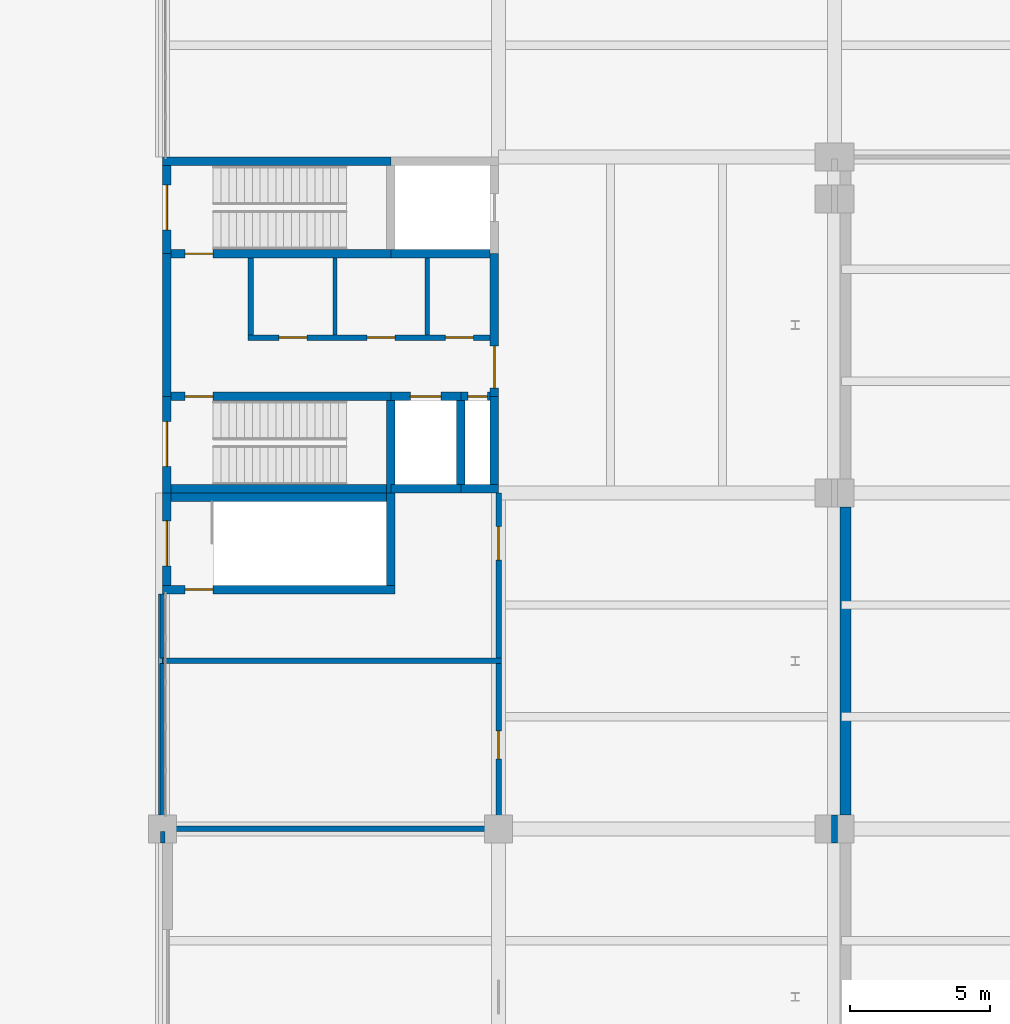
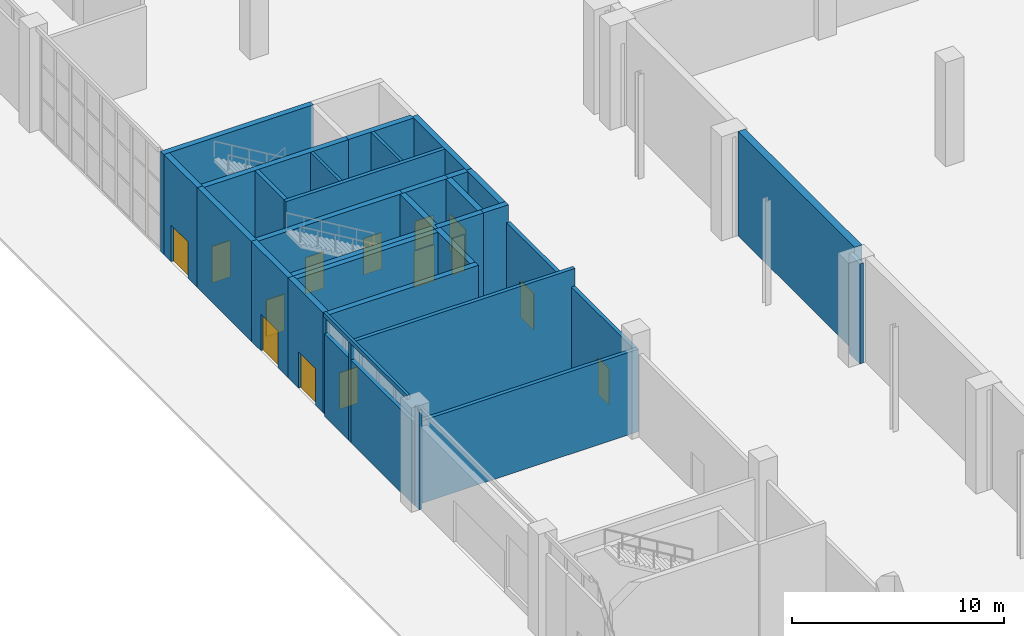
# One storey, part 44 of 59: 34 walls, 14 doors, 14 openings.
"""IFC4 building model written with IfcOpenShell, lengths in metres."""

from ifc_helpers import new_model, si_unit, direction, frame, frame_2d, origin, place, context, subcontext, project, spatial, rectangle, extrude, material, layer, layer_set, type_object, element, fill, save


model = new_model("IFC4")

# Units and contexts
model_context = context("Model", 3, precision=1e-05, world=origin(), true_north=direction((0.0, 1.0)))
body_context = subcontext(model_context, "Body", "Model", "MODEL_VIEW")
ifc_project = project(units=[si_unit("LENGTHUNIT", "METRE"), si_unit("AREAUNIT", "SQUARE_METRE"), si_unit("VOLUMEUNIT", "CUBIC_METRE"), si_unit("PLANEANGLEUNIT", "RADIAN"), si_unit("MASSUNIT", "GRAM", prefix="KILO")], contexts=[model_context])

# Site, building, storey
site_placement = place(None, origin())
site = spatial("IfcSite", under=ifc_project, at=site_placement, CompositionType="ELEMENT")
building_placement = place(site_placement, origin())
building = spatial("IfcBuilding", under=site, at=building_placement, Name="Lilac Gate Convention Centre", CompositionType="ELEMENT")
storey_placement = place(building_placement, origin())
storey = spatial("IfcBuildingStorey", under=building, at=storey_placement, Name="L00", CompositionType="ELEMENT", Elevation=0.0)

# Walls
ifc_material_1 = material(Name="Concrete C30", Category="concrete")
ifc_layer_1 = layer(ifc_material_1, 0.39990234375)
ifc_layer_set_1 = layer_set([ifc_layer_1], Name="Concrete C30")
wall_type_1 = type_object("IfcWallType", Name="Hall fire wall 400", PredefinedType="SOLIDWALL", material=ifc_layer_set_1)
wall_1_placement = place(storey_placement, frame((30.39990234375, 198.5, 0.0), z_axis=(0.0, 0.0, 1.0), x_axis=(0.0, 1.0, 0.0)))
element("IfcWall", 1, at=wall_1_placement, inside=storey, type_object=wall_type_1, Name="Fire wall galleria FW L00 15", PredefinedType="SOLIDWALL", context=body_context, shape_type="SweptSolid", body=[
    extrude(rectangle(XDim=11.0, YDim=0.39990234375, at=frame_2d((5.5, 0.0))), origin(), (0.0, 0.0, 1.0), 6.0),
])
ifc_material_2 = material(Name="Fire-rated gypsum board on steel stud", Category="steel")
ifc_layer_2 = layer(ifc_material_2, 0.14990234375)
ifc_layer_set_2 = layer_set([ifc_layer_2], Name="Fire-rated gypsum board on steel stud")
wall_type_2 = type_object("IfcWallType", Name="Partition 150 fire-rated gypsum board EI 60", PredefinedType="PARTITIONING", material=ifc_layer_set_2)
wall_2_placement = place(storey_placement, frame((6.0, 197.5, 0.0), z_axis=(0.0, 0.0, 1.0), x_axis=(0.0, 1.0, 0.0)))
element("IfcWall", 2, at=wall_2_placement, inside=storey, type_object=wall_type_2, Name="Partition 150 fire-rated gypsum board EI 60", PredefinedType="PARTITIONING", context=body_context, shape_type="SweptSolid", body=[
    extrude(rectangle(XDim=0.39990234375, YDim=0.14990234375, at=frame_2d((0.199951171875, 0.0))), origin(), (0.0, 0.0, 1.0), 5.75),
])
for number, where, z_axis, x_axis, name in (
    (3, (12.14990234375, 215.64990234375, 0.0), (0.0, 0.0, 1.0), (0.0, 1.0, 0.0), "Partition 150 fire-rated gypsum board EI 60"),
    (4, (15.449951171875, 215.64990234375, 0.0), (0.0, 0.0, 1.0), (0.0, 1.0, 0.0), "Partition 150 fire-rated gypsum board EI 60"),
):
    element("IfcWall", number, at=place(storey_placement, frame(where, z_axis=z_axis, x_axis=x_axis)), inside=storey, type_object=wall_type_2, Name=name, PredefinedType="PARTITIONING", context=body_context, shape_type="SweptSolid", body=[
        extrude(rectangle(XDim=2.75, YDim=0.14990234375, at=frame_2d((1.375, 0.0))), origin(), (0.0, 0.0, 1.0), 5.75),
    ])
ifc_material_3 = material(Name="Clay brick masonry", Category="masonry")
ifc_layer_3 = layer(ifc_material_3, 0.199951171875)
ifc_layer_set_3 = layer_set([ifc_layer_3], Name="Clay brick masonry")
wall_type_3 = type_object("IfcWallType", Name="Partition 200 brick EI 120", PredefinedType="PARTITIONING", material=ifc_layer_set_3)
wall_3_placement = place(storey_placement, frame((5.89990234375, 198.0, 0.0), z_axis=(0.0, 0.0, 1.0), x_axis=(1.0, 0.0, 0.0)))
element("IfcWall", 5, at=wall_3_placement, inside=storey, type_object=wall_type_3, Name="Partition 200 brick EI 120", PredefinedType="PARTITIONING", context=body_context, shape_type="SweptSolid", body=[
    extrude(rectangle(XDim=12.2001953125, YDim=0.199951171875, at=frame_2d((6.10009765625, 0.0))), origin(), (0.0, 0.0, 1.0), 4.75),
])
wall_4_placement = place(storey_placement, frame((5.89990234375, 204.0, 0.0), z_axis=(0.0, 0.0, 1.0), x_axis=(1.0, 0.0, 0.0)))
element("IfcWall", 6, at=wall_4_placement, inside=storey, type_object=wall_type_3, Name="Partition 200 brick EI 120", PredefinedType="PARTITIONING", context=body_context, shape_type="SweptSolid", body=[
    extrude(rectangle(XDim=12.2001953125, YDim=0.199951171875, at=frame_2d((6.10009765625, 0.0))), origin(), (0.0, 0.0, 1.0), 5.75),
])
wall_5_placement = place(storey_placement, frame((6.0, 198.10009765625, 0.0), z_axis=(0.0, 0.0, 1.0), x_axis=(0.0, 1.0, 0.0)))
element("IfcWall", 7, at=wall_5_placement, inside=storey, type_object=wall_type_3, Name="Partition 200 brick EI 120", PredefinedType="PARTITIONING", context=body_context, shape_type="SweptSolid", body=[
    extrude(rectangle(XDim=5.7998046875, YDim=0.199951171875, at=frame_2d((2.89990234375, 0.0))), origin(), (0.0, 0.0, 1.0), 4.75),
])

# Wall, opening, door
wall_6_placement = place(storey_placement, frame((18.0, 198.10009765625, 0.0), z_axis=(0.0, 0.0, 1.0), x_axis=(0.0, 1.0, 0.0)))
wall_6 = element("IfcWall", 8, at=wall_6_placement, inside=storey, type_object=wall_type_3, Name="Partition 200 brick EI 120", PredefinedType="PARTITIONING", context=body_context, shape_type="SweptSolid", body=[
    extrude(rectangle(XDim=5.7998046875, YDim=0.199951171875, at=frame_2d((2.89990234375, 0.0))), origin(), (0.0, 0.0, 1.0), 4.75),
])
opening_1_placement = place(wall_6_placement, frame((2.39990234375, 0.0, 0.0)))
opening_1 = element("IfcOpeningElement", 9, at=opening_1_placement, cuts=wall_6, Name="Opening L00-121", PredefinedType="OPENING", context=body_context, shape_type="SweptSolid", body=[
    extrude(rectangle(XDim=1.0, YDim=2.10009765625, at=frame_2d((0.5, 1.050048828125))), frame((0.0, 0.10986328125, 0.0), z_axis=(0.0, -1.0, 0.0), x_axis=(1.0, 0.0, 0.0)), (0.0, 0.0, 1.0), 0.219970703125),
])
ifc_material_4 = material(Name="Steel Q235B", Category="steel")
door_type_1 = type_object("IfcDoorType", Name="Door 1000 x 2100 single leaf FD90", OperationType="SINGLE_SWING_LEFT", PredefinedType="DOOR", material=ifc_material_4)
door_1_placement = place(opening_1_placement, origin())
door_1 = element("IfcDoor", 10, at=door_1_placement, inside=storey, type_object=door_type_1, Name="Fire control room door L00-121", OperationType="SINGLE_SWING_RIGHT", OverallHeight=2.10009765625, OverallWidth=1.0, PredefinedType="DOOR", context=body_context, shape_type="SweptSolid", body=[
    extrude(rectangle(XDim=1.0, YDim=2.10009765625, at=frame_2d((0.5, 1.050048828125))), frame((0.0, 0.02490234375, 0.0), z_axis=(0.0, -1.0, 0.0), x_axis=(1.0, 0.0, 0.0)), (0.0, 0.0, 1.0), 0.050048828125),
])
fill(opening_1, door_1)

# Wall, openings, doors
ifc_layer_4 = layer(ifc_material_3, 0.199951171875)
ifc_layer_set_4 = layer_set([ifc_layer_4], Name="Clay brick masonry")
wall_type_4 = type_object("IfcWallType", Name="Partition 200 brick EI 60", PredefinedType="PARTITIONING", material=ifc_layer_set_4)
wall_7_placement = place(storey_placement, frame((9.050048828125, 215.550048828125, 0.0), z_axis=(0.0, 0.0, 1.0), x_axis=(1.0, 0.0, 0.0)))
wall_7 = element("IfcWall", 11, at=wall_7_placement, inside=storey, type_object=wall_type_4, Name="Partition 200 brick EI 60", PredefinedType="PARTITIONING", context=body_context, shape_type="SweptSolid", body=[
    extrude(rectangle(XDim=8.64990234375, YDim=0.199951171875, at=frame_2d((4.324951171875, 0.0))), origin(), (0.0, 0.0, 1.0), 5.75),
])
opening_2_placement = place(wall_7_placement, frame((1.10009765625, 0.0, 0.0)))
opening_2 = element("IfcOpeningElement", 12, at=opening_2_placement, cuts=wall_7, Name="Opening L00-136", PredefinedType="OPENING", context=body_context, shape_type="SweptSolid", body=[
    extrude(rectangle(XDim=1.0, YDim=2.10009765625, at=frame_2d((0.5, 1.050048828125))), frame((0.0, 0.10986328125, 0.0), z_axis=(0.0, -1.0, 0.0), x_axis=(1.0, 0.0, 0.0)), (0.0, 0.0, 1.0), 0.219970703125),
])
opening_3_placement = place(wall_7_placement, frame((4.25, 0.0, 0.0)))
opening_3 = element("IfcOpeningElement", 13, at=opening_3_placement, cuts=wall_7, Name="Opening L00-137", PredefinedType="OPENING", context=body_context, shape_type="SweptSolid", body=[
    extrude(rectangle(XDim=1.0, YDim=2.10009765625, at=frame_2d((0.5, 1.050048828125))), frame((0.0, 0.10986328125, 0.0), z_axis=(0.0, -1.0, 0.0), x_axis=(1.0, 0.0, 0.0)), (0.0, 0.0, 1.0), 0.219970703125),
])
opening_4_placement = place(wall_7_placement, frame((7.050048828125, 0.0, 0.0)))
opening_4 = element("IfcOpeningElement", 14, at=opening_4_placement, cuts=wall_7, Name="Opening L00-138", PredefinedType="OPENING", context=body_context, shape_type="SweptSolid", body=[
    extrude(rectangle(XDim=1.0, YDim=2.10009765625, at=frame_2d((0.5, 1.050048828125))), frame((0.0, 0.10986328125, 0.0), z_axis=(0.0, -1.0, 0.0), x_axis=(1.0, 0.0, 0.0)), (0.0, 0.0, 1.0), 0.219970703125),
])
ifc_material_5 = material(Name="Timber fire door leaf", Category="wood")
door_type_2 = type_object("IfcDoorType", Name="Door 1000 x 2100 single leaf FD30", OperationType="SINGLE_SWING_LEFT", PredefinedType="DOOR", material=ifc_material_5)
door_2_placement = place(opening_2_placement, origin())
door_2 = element("IfcDoor", 15, at=door_2_placement, inside=storey, type_object=door_type_2, Name="WC door L00-136", OperationType="SINGLE_SWING_RIGHT", OverallHeight=2.10009765625, OverallWidth=1.0, PredefinedType="DOOR", context=body_context, shape_type="SweptSolid", body=[
    extrude(rectangle(XDim=1.0, YDim=2.10009765625, at=frame_2d((0.5, 1.050048828125))), frame((0.0, 0.02490234375, 0.0), z_axis=(0.0, -1.0, 0.0), x_axis=(1.0, 0.0, 0.0)), (0.0, 0.0, 1.0), 0.050048828125),
])
fill(opening_2, door_2)
door_3_placement = place(opening_3_placement, origin())
door_3 = element("IfcDoor", 16, at=door_3_placement, inside=storey, type_object=door_type_2, Name="WC door L00-137", OperationType="SINGLE_SWING_LEFT", OverallHeight=2.10009765625, OverallWidth=1.0, PredefinedType="DOOR", context=body_context, shape_type="SweptSolid", body=[
    extrude(rectangle(XDim=1.0, YDim=2.10009765625, at=frame_2d((0.5, 1.050048828125))), frame((0.0, 0.02490234375, 0.0), z_axis=(0.0, -1.0, 0.0), x_axis=(1.0, 0.0, 0.0)), (0.0, 0.0, 1.0), 0.050048828125),
])
fill(opening_3, door_3)
door_4_placement = place(opening_4_placement, origin())
door_4 = element("IfcDoor", 17, at=door_4_placement, inside=storey, type_object=door_type_2, Name="Accessible WC door L00-138", OperationType="SINGLE_SWING_LEFT", OverallHeight=2.10009765625, OverallWidth=1.0, PredefinedType="DOOR", context=body_context, shape_type="SweptSolid", body=[
    extrude(rectangle(XDim=1.0, YDim=2.10009765625, at=frame_2d((0.5, 1.050048828125))), frame((0.0, 0.02490234375, 0.0), z_axis=(0.0, -1.0, 0.0), x_axis=(1.0, 0.0, 0.0)), (0.0, 0.0, 1.0), 0.050048828125),
])
fill(opening_4, door_4)

# Walls
wall_8_placement = place(storey_placement, frame((6.0, 204.10009765625, 0.0), z_axis=(0.0, 0.0, 1.0), x_axis=(0.0, 1.0, 0.0)))
element("IfcWall", 18, at=wall_8_placement, inside=storey, type_object=wall_type_4, Name="Partition 200 brick EI 60", PredefinedType="PARTITIONING", context=body_context, shape_type="SweptSolid", body=[
    extrude(rectangle(XDim=2.2998046875, YDim=0.199951171875, at=frame_2d((1.14990234375, 0.0))), origin(), (0.0, 0.0, 1.0), 4.75),
])
wall_9_placement = place(storey_placement, frame((9.14990234375, 215.64990234375, 0.0), z_axis=(0.0, 0.0, 1.0), x_axis=(0.0, 1.0, 0.0)))
element("IfcWall", 19, at=wall_9_placement, inside=storey, type_object=wall_type_4, Name="Partition 200 brick EI 60", PredefinedType="PARTITIONING", context=body_context, shape_type="SweptSolid", body=[
    extrude(rectangle(XDim=2.75, YDim=0.199951171875, at=frame_2d((1.375, 0.0))), origin(), (0.0, 0.0, 1.0), 5.75),
])

# Wall, opening, door
wall_10_placement = place(storey_placement, frame((18.0, 204.10009765625, 0.0), z_axis=(0.0, 0.0, 1.0), x_axis=(0.0, 1.0, 0.0)))
wall_10 = element("IfcWall", 20, at=wall_10_placement, inside=storey, type_object=wall_type_4, Name="Partition 200 brick EI 60", PredefinedType="PARTITIONING", context=body_context, shape_type="SweptSolid", body=[
    extrude(rectangle(XDim=5.89990234375, YDim=0.199951171875, at=frame_2d((2.949951171875, 0.0))), origin(), (0.0, 0.0, 1.0), 4.75),
])
opening_5_placement = place(wall_10_placement, frame((3.5, 0.0, 0.0)))
opening_5 = element("IfcOpeningElement", 21, at=opening_5_placement, cuts=wall_10, Name="Opening L00-126", PredefinedType="OPENING", context=body_context, shape_type="SweptSolid", body=[
    extrude(rectangle(XDim=1.199951171875, YDim=2.10009765625, at=frame_2d((0.60009765625, 1.050048828125))), frame((0.0, 0.10986328125, 0.0), z_axis=(0.0, -1.0, 0.0), x_axis=(1.0, 0.0, 0.0)), (0.0, 0.0, 1.0), 0.219970703125),
])
door_type_3 = type_object("IfcDoorType", Name="Door 1200 x 2100 single leaf FD60", OperationType="SINGLE_SWING_LEFT", PredefinedType="DOOR", material=ifc_material_5)
door_5_placement = place(opening_5_placement, origin())
door_5 = element("IfcDoor", 22, at=door_5_placement, inside=storey, type_object=door_type_3, Name="Lobby door L00-126", OperationType="SINGLE_SWING_LEFT", OverallHeight=2.10009765625, OverallWidth=1.199951171875, PredefinedType="DOOR", context=body_context, shape_type="SweptSolid", body=[
    extrude(rectangle(XDim=1.199951171875, YDim=2.10009765625, at=frame_2d((0.60009765625, 1.050048828125))), frame((0.0, 0.02490234375, 0.0), z_axis=(0.0, -1.0, 0.0), x_axis=(1.0, 0.0, 0.0)), (0.0, 0.0, 1.0), 0.050048828125),
])
fill(opening_5, door_5)

# Walls
wall_11_placement = place(storey_placement, frame((30.0, 197.5, 0.0), z_axis=(0.0, 0.0, 1.0), x_axis=(0.0, 1.0, 0.0)))
element("IfcWall", 23, at=wall_11_placement, inside=storey, type_object=wall_type_4, Name="Partition 200 brick EI 60", PredefinedType="PARTITIONING", context=body_context, shape_type="SweptSolid", body=[
    extrude(rectangle(XDim=1.0, YDim=0.199951171875, at=frame_2d((0.5, 0.0))), origin(), (0.0, 0.0, 1.0), 5.75),
])
ifc_material_6 = material(Name="Concrete C40 precast", Category="concrete")
ifc_layer_5 = layer(ifc_material_6, 0.1298828125)
ifc_material_7 = material(Name="Teal glazed cladding")
ifc_layer_6 = layer(ifc_material_7, 0.02001953125)
ifc_layer_set_5 = layer_set([ifc_layer_5, ifc_layer_6], Name="Concrete C40 precast, Teal glazed cladding")
wall_type_5 = type_object("IfcWallType", Name="Precast band teal 150", PredefinedType="STANDARD", material=ifc_layer_set_5)
wall_12_placement = place(storey_placement, frame((5.925048828125, 206.39990234375, 5.75), z_axis=(0.0, 0.0, 1.0), x_axis=(0.0, -1.0, 0.0)))
element("IfcWall", 24, at=wall_12_placement, inside=storey, type_object=wall_type_5, Name="Precast band PW L00 1", PredefinedType="STANDARD", context=body_context, shape_type="SweptSolid", body=[
    extrude(rectangle(XDim=7.89990234375, YDim=0.14990234375, at=frame_2d((3.949951171875, 0.0))), origin(), (0.0, 0.0, 1.0), 0.25),
])

# Wall, opening, door
ifc_material_8 = material(Name="Concrete C40", Category="concrete")
ifc_layer_7 = layer(ifc_material_8, 0.300048828125)
ifc_layer_set_6 = layer_set([ifc_layer_7], Name="Concrete C40")
wall_type_6 = type_object("IfcWallType", Name="Shear wall 300 C40", PredefinedType="SHEAR", material=ifc_layer_set_6)
wall_13_placement = place(storey_placement, frame((6.0, 206.550048828125, 0.0), z_axis=(0.0, 0.0, 1.0), x_axis=(1.0, 0.0, 0.0)))
wall_13 = element("IfcWall", 25, at=wall_13_placement, inside=storey, type_object=wall_type_6, Name="SW1 shear wall BW4 L00 1", PredefinedType="SHEAR", context=body_context, shape_type="SweptSolid", body=[
    extrude(rectangle(XDim=8.300048828125, YDim=0.300048828125, at=frame_2d((4.14990234375, 0.0))), origin(), (0.0, 0.0, 1.0), 5.75),
])
opening_6_placement = place(wall_13_placement, frame((0.800048828125, 0.0, 0.0)))
opening_6 = element("IfcOpeningElement", 26, at=opening_6_placement, cuts=wall_13, Name="Opening L00-123", PredefinedType="OPENING", context=body_context, shape_type="SweptSolid", body=[
    extrude(rectangle(XDim=1.0, YDim=2.10009765625, at=frame_2d((0.5, 1.050048828125))), frame((0.0, 0.159912109375, 0.0), z_axis=(0.0, -1.0, 0.0), x_axis=(1.0, 0.0, 0.0)), (0.0, 0.0, 1.0), 0.320068359375),
])
door_type_4 = type_object("IfcDoorType", Name="Door 1000 x 2100 single leaf FD60", OperationType="SINGLE_SWING_LEFT", PredefinedType="DOOR", material=ifc_material_5)
door_6_placement = place(opening_6_placement, origin())
door_6 = element("IfcDoor", 27, at=door_6_placement, inside=storey, type_object=door_type_4, Name="Stair door L00-123", OperationType="SINGLE_SWING_RIGHT", OverallHeight=2.10009765625, OverallWidth=1.0, PredefinedType="DOOR", context=body_context, shape_type="SweptSolid", body=[
    extrude(rectangle(XDim=1.0, YDim=2.10009765625, at=frame_2d((0.5, 1.050048828125))), frame((0.0, 0.02490234375, 0.0), z_axis=(0.0, -1.0, 0.0), x_axis=(1.0, 0.0, 0.0)), (0.0, 0.0, 1.0), 0.050048828125),
])
fill(opening_6, door_6)

# Wall
wall_14_placement = place(storey_placement, frame((6.0, 209.85009765625, 0.0), z_axis=(0.0, 0.0, 1.0), x_axis=(1.0, 0.0, 0.0)))
element("IfcWall", 28, at=wall_14_placement, inside=storey, type_object=wall_type_6, Name="SW1 shear wall BW4 L00 2", PredefinedType="SHEAR", context=body_context, shape_type="SweptSolid", body=[
    extrude(rectangle(XDim=8.300048828125, YDim=0.300048828125, at=frame_2d((4.14990234375, 0.0))), origin(), (0.0, 0.0, 1.0), 5.75),
])

# Wall, opening, door
wall_15_placement = place(storey_placement, frame((6.14990234375, 206.699951171875, 0.0), z_axis=(0.0, 0.0, 1.0), x_axis=(0.0, 1.0, 0.0)))
wall_15 = element("IfcWall", 29, at=wall_15_placement, inside=storey, type_object=wall_type_6, Name="SW1 shear wall BW4 L00 3", PredefinedType="SHEAR", context=body_context, shape_type="SweptSolid", body=[
    extrude(rectangle(XDim=3.300048828125, YDim=0.300048828125, at=frame_2d((1.64990234375, 0.0))), origin(), (0.0, 0.0, 1.0), 5.75),
])
opening_7_placement = place(wall_15_placement, frame((0.699951171875, 0.0, 0.0)))
opening_7 = element("IfcOpeningElement", 30, at=opening_7_placement, cuts=wall_15, Name="Opening L00-125", PredefinedType="OPENING", context=body_context, shape_type="SweptSolid", body=[
    extrude(rectangle(XDim=1.60009765625, YDim=2.10009765625, at=frame_2d((0.800048828125, 1.050048828125))), frame((0.0, 0.159912109375, 0.0), z_axis=(0.0, -1.0, 0.0), x_axis=(1.0, 0.0, 0.0)), (0.0, 0.0, 1.0), 0.320068359375),
])
door_type_5 = type_object("IfcDoorType", Name="Door 1600 x 2100 double leaf FD60", OperationType="DOUBLE_DOOR_SINGLE_SWING", PredefinedType="DOOR", material=ifc_material_5)
door_7_placement = place(opening_7_placement, origin())
door_7 = element("IfcDoor", 31, at=door_7_placement, inside=storey, type_object=door_type_5, Name="Stair exit door L00-125", OperationType="DOUBLE_DOOR_SINGLE_SWING", OverallHeight=2.10009765625, OverallWidth=1.60009765625, PredefinedType="DOOR", context=body_context, shape_type="SweptSolid", body=[
    extrude(rectangle(XDim=1.60009765625, YDim=2.10009765625, at=frame_2d((0.800048828125, 1.050048828125))), frame((0.0, 0.02490234375, 0.0), z_axis=(0.0, -1.0, 0.0), x_axis=(1.0, 0.0, 0.0)), (0.0, 0.0, 1.0), 0.050048828125),
])
fill(opening_7, door_7)

# Walls
wall_16_placement = place(storey_placement, frame((14.14990234375, 206.699951171875, 0.0), z_axis=(0.0, 0.0, 1.0), x_axis=(0.0, 1.0, 0.0)))
element("IfcWall", 32, at=wall_16_placement, inside=storey, type_object=wall_type_6, Name="SW1 shear wall BW4 L00 4", PredefinedType="SHEAR", context=body_context, shape_type="SweptSolid", body=[
    extrude(rectangle(XDim=3.300048828125, YDim=0.300048828125, at=frame_2d((1.64990234375, 0.0))), origin(), (0.0, 0.0, 1.0), 5.75),
])
wall_17_placement = place(storey_placement, frame((6.0, 210.14990234375, 0.0), z_axis=(0.0, 0.0, 1.0), x_axis=(1.0, 0.0, 0.0)))
element("IfcWall", 33, at=wall_17_placement, inside=storey, type_object=wall_type_6, Name="SW1 shear wall W4 L00 1", PredefinedType="SHEAR", context=body_context, shape_type="SweptSolid", body=[
    extrude(rectangle(XDim=8.14990234375, YDim=0.300048828125, at=frame_2d((4.074951171875, 0.0))), origin(), (0.0, 0.0, 1.0), 5.75),
])
wall_18_placement = place(storey_placement, frame((14.14990234375, 210.14990234375, 0.0), z_axis=(0.0, 0.0, 1.0), x_axis=(1.0, 0.0, 0.0)))
element("IfcWall", 34, at=wall_18_placement, inside=storey, type_object=wall_type_6, Name="SW1 shear wall W4 L00 2", PredefinedType="SHEAR", context=body_context, shape_type="SweptSolid", body=[
    extrude(rectangle(XDim=2.5, YDim=0.300048828125, at=frame_2d((1.25, 0.0))), origin(), (0.0, 0.0, 1.0), 5.75),
])
wall_19_placement = place(storey_placement, frame((16.64990234375, 210.14990234375, 0.0), z_axis=(0.0, 0.0, 1.0), x_axis=(1.0, 0.0, 0.0)))
element("IfcWall", 35, at=wall_19_placement, inside=storey, type_object=wall_type_6, Name="SW1 shear wall W4 L00 3", PredefinedType="SHEAR", context=body_context, shape_type="SweptSolid", body=[
    extrude(rectangle(XDim=1.35009765625, YDim=0.300048828125, at=frame_2d((0.675048828125, 0.0))), origin(), (0.0, 0.0, 1.0), 5.75),
])
wall_20_placement = place(storey_placement, frame((6.0, 221.85009765625, 0.0), z_axis=(0.0, 0.0, 1.0), x_axis=(1.0, 0.0, 0.0)))
element("IfcWall", 36, at=wall_20_placement, inside=storey, type_object=wall_type_6, Name="SW1 shear wall W4 L00 4", PredefinedType="SHEAR", context=body_context, shape_type="SweptSolid", body=[
    extrude(rectangle(XDim=8.14990234375, YDim=0.300048828125, at=frame_2d((4.074951171875, 0.0))), origin(), (0.0, 0.0, 1.0), 5.75),
])

# Wall, opening, door
wall_21_placement = place(storey_placement, frame((6.300048828125, 213.449951171875, 0.0), z_axis=(0.0, 0.0, 1.0), x_axis=(1.0, 0.0, 0.0)))
wall_21 = element("IfcWall", 37, at=wall_21_placement, inside=storey, type_object=wall_type_6, Name="SW1 shear wall W4 L00 6", PredefinedType="SHEAR", context=body_context, shape_type="SweptSolid", body=[
    extrude(rectangle(XDim=7.849853515625, YDim=0.300048828125, at=frame_2d((3.9248046875, 0.0))), origin(), (0.0, 0.0, 1.0), 5.75),
])
opening_8_placement = place(wall_21_placement, frame((0.5, 0.0, 0.0)))
opening_8 = element("IfcOpeningElement", 38, at=opening_8_placement, cuts=wall_21, Name="Opening L00-130", PredefinedType="OPENING", context=body_context, shape_type="SweptSolid", body=[
    extrude(rectangle(XDim=1.0, YDim=2.10009765625, at=frame_2d((0.5, 1.050048828125))), frame((0.0, 0.159912109375, 0.0), z_axis=(0.0, -1.0, 0.0), x_axis=(1.0, 0.0, 0.0)), (0.0, 0.0, 1.0), 0.320068359375),
])
door_8_placement = place(opening_8_placement, frame((1.0, 0.0, 0.0), z_axis=(0.0, 0.0, 1.0), x_axis=(-1.0, 0.0, 0.0)))
door_8 = element("IfcDoor", 39, at=door_8_placement, inside=storey, type_object=door_type_4, Name="Stair door L00-130", OperationType="SINGLE_SWING_LEFT", OverallHeight=2.10009765625, OverallWidth=1.0, PredefinedType="DOOR", context=body_context, shape_type="SweptSolid", body=[
    extrude(rectangle(XDim=1.0, YDim=2.10009765625, at=frame_2d((0.5, 1.050048828125))), frame((0.0, 0.02490234375, 0.0), z_axis=(0.0, -1.0, 0.0), x_axis=(1.0, 0.0, 0.0)), (0.0, 0.0, 1.0), 0.050048828125),
])
fill(opening_8, door_8)

wall_22_placement = place(storey_placement, frame((14.14990234375, 213.449951171875, 0.0), z_axis=(0.0, 0.0, 1.0), x_axis=(1.0, 0.0, 0.0)))
wall_22 = element("IfcWall", 40, at=wall_22_placement, inside=storey, type_object=wall_type_6, Name="SW1 shear wall W4 L00 7", PredefinedType="SHEAR", context=body_context, shape_type="SweptSolid", body=[
    extrude(rectangle(XDim=2.5, YDim=0.300048828125, at=frame_2d((1.25, 0.0))), origin(), (0.0, 0.0, 1.0), 5.75),
])
opening_9_placement = place(wall_22_placement, frame((0.699951171875, 0.0, 0.0)))
opening_9 = element("IfcOpeningElement", 41, at=opening_9_placement, cuts=wall_22, Name="Opening LDW4-00", PredefinedType="OPENING", context=body_context, shape_type="SweptSolid", body=[
    extrude(rectangle(XDim=1.10009765625, YDim=2.10009765625, at=frame_2d((0.550048828125, 1.050048828125))), frame((0.0, 0.159912109375, 0.0), z_axis=(0.0, -1.0, 0.0), x_axis=(1.0, 0.0, 0.0)), (0.0, 0.0, 1.0), 0.320068359375),
])
ifc_material_9 = material(Name="Stainless steel 304", Category="steel")
door_type_6 = type_object("IfcDoorType", Name="Lift landing door 1100 x 2100", OperationType="SLIDING_TO_LEFT", PredefinedType="DOOR", material=ifc_material_9)
door_9_placement = place(opening_9_placement, origin())
door_9 = element("IfcDoor", 42, at=door_9_placement, inside=storey, type_object=door_type_6, Name="Lift landing door LDW4-00", OperationType="SLIDING_TO_LEFT", OverallHeight=2.10009765625, OverallWidth=1.10009765625, PredefinedType="DOOR", context=body_context, shape_type="SweptSolid", body=[
    extrude(rectangle(XDim=1.10009765625, YDim=2.10009765625, at=frame_2d((0.550048828125, 1.050048828125))), frame((0.0, 0.02490234375, 0.0), z_axis=(0.0, -1.0, 0.0), x_axis=(1.0, 0.0, 0.0)), (0.0, 0.0, 1.0), 0.050048828125),
])
fill(opening_9, door_9)

wall_23_placement = place(storey_placement, frame((16.64990234375, 213.449951171875, 0.0), z_axis=(0.0, 0.0, 1.0), x_axis=(1.0, 0.0, 0.0)))
wall_23 = element("IfcWall", 43, at=wall_23_placement, inside=storey, type_object=wall_type_6, Name="SW1 shear wall W4 L00 8", PredefinedType="SHEAR", context=body_context, shape_type="SweptSolid", body=[
    extrude(rectangle(XDim=1.050048828125, YDim=0.300048828125, at=frame_2d((0.52490234375, 0.0))), origin(), (0.0, 0.0, 1.0), 5.75),
])
opening_10_placement = place(wall_23_placement, frame((0.25, 0.0, 0.0)))
opening_10 = element("IfcOpeningElement", 44, at=opening_10_placement, cuts=wall_23, Name="Opening L00-131", PredefinedType="OPENING", context=body_context, shape_type="SweptSolid", body=[
    extrude(rectangle(XDim=0.699951171875, YDim=2.10009765625, at=frame_2d((0.35009765625, 1.050048828125))), frame((0.0, 0.159912109375, 0.0), z_axis=(0.0, -1.0, 0.0), x_axis=(1.0, 0.0, 0.0)), (0.0, 0.0, 1.0), 0.320068359375),
])
door_type_7 = type_object("IfcDoorType", Name="Door 700 x 2100 single leaf FD30", OperationType="SINGLE_SWING_LEFT", PredefinedType="DOOR", material=ifc_material_5)
door_10_placement = place(opening_10_placement, frame((0.699951171875, 0.0, 0.0), z_axis=(0.0, 0.0, 1.0), x_axis=(-1.0, 0.0, 0.0)))
door_10 = element("IfcDoor", 45, at=door_10_placement, inside=storey, type_object=door_type_7, Name="Riser access door L00-131", OperationType="SINGLE_SWING_LEFT", OverallHeight=2.10009765625, OverallWidth=0.699951171875, PredefinedType="DOOR", context=body_context, shape_type="SweptSolid", body=[
    extrude(rectangle(XDim=0.699951171875, YDim=2.10009765625, at=frame_2d((0.35009765625, 1.050048828125))), frame((0.0, 0.02490234375, 0.0), z_axis=(0.0, -1.0, 0.0), x_axis=(1.0, 0.0, 0.0)), (0.0, 0.0, 1.0), 0.050048828125),
])
fill(opening_10, door_10)

wall_24_placement = place(storey_placement, frame((6.300048828125, 218.550048828125, 0.0), z_axis=(0.0, 0.0, 1.0), x_axis=(1.0, 0.0, 0.0)))
wall_24 = element("IfcWall", 46, at=wall_24_placement, inside=storey, type_object=wall_type_6, Name="SW1 shear wall W4 L00 9", PredefinedType="SHEAR", context=body_context, shape_type="SweptSolid", body=[
    extrude(rectangle(XDim=7.849853515625, YDim=0.300048828125, at=frame_2d((3.9248046875, 0.0))), origin(), (0.0, 0.0, 1.0), 5.75),
])
opening_11_placement = place(wall_24_placement, frame((0.5, 0.0, 0.0)))
opening_11 = element("IfcOpeningElement", 47, at=opening_11_placement, cuts=wall_24, Name="Opening L00-142", PredefinedType="OPENING", context=body_context, shape_type="SweptSolid", body=[
    extrude(rectangle(XDim=1.0, YDim=2.10009765625, at=frame_2d((0.5, 1.050048828125))), frame((0.0, 0.159912109375, 0.0), z_axis=(0.0, -1.0, 0.0), x_axis=(1.0, 0.0, 0.0)), (0.0, 0.0, 1.0), 0.320068359375),
])
door_11_placement = place(opening_11_placement, origin())
door_11 = element("IfcDoor", 48, at=door_11_placement, inside=storey, type_object=door_type_4, Name="Stair door L00-142", OperationType="SINGLE_SWING_RIGHT", OverallHeight=2.10009765625, OverallWidth=1.0, PredefinedType="DOOR", context=body_context, shape_type="SweptSolid", body=[
    extrude(rectangle(XDim=1.0, YDim=2.10009765625, at=frame_2d((0.5, 1.050048828125))), frame((0.0, 0.02490234375, 0.0), z_axis=(0.0, -1.0, 0.0), x_axis=(1.0, 0.0, 0.0)), (0.0, 0.0, 1.0), 0.050048828125),
])
fill(opening_11, door_11)

# Wall
wall_25_placement = place(storey_placement, frame((14.14990234375, 218.550048828125, 0.0), z_axis=(0.0, 0.0, 1.0), x_axis=(1.0, 0.0, 0.0)))
element("IfcWall", 49, at=wall_25_placement, inside=storey, type_object=wall_type_6, Name="SW1 shear wall W4 L00 10", PredefinedType="SHEAR", context=body_context, shape_type="SweptSolid", body=[
    extrude(rectangle(XDim=3.550048828125, YDim=0.300048828125, at=frame_2d((1.77490234375, 0.0))), origin(), (0.0, 0.0, 1.0), 5.75),
])

# Wall, opening, door
wall_26_placement = place(storey_placement, frame((6.14990234375, 210.0, 0.0), z_axis=(0.0, 0.0, 1.0), x_axis=(0.0, 1.0, 0.0)))
wall_26 = element("IfcWall", 50, at=wall_26_placement, inside=storey, type_object=wall_type_6, Name="SW1 shear wall W4 L00 11", PredefinedType="SHEAR", context=body_context, shape_type="SweptSolid", body=[
    extrude(rectangle(XDim=3.449951171875, YDim=0.300048828125, at=frame_2d((1.72509765625, 0.0))), origin(), (0.0, 0.0, 1.0), 5.75),
])
opening_12_placement = place(wall_26_placement, frame((0.949951171875, 0.0, 0.0)))
opening_12 = element("IfcOpeningElement", 51, at=opening_12_placement, cuts=wall_26, Name="Opening L00-128", PredefinedType="OPENING", context=body_context, shape_type="SweptSolid", body=[
    extrude(rectangle(XDim=1.60009765625, YDim=2.10009765625, at=frame_2d((0.800048828125, 1.050048828125))), frame((0.0, 0.159912109375, 0.0), z_axis=(0.0, -1.0, 0.0), x_axis=(1.0, 0.0, 0.0)), (0.0, 0.0, 1.0), 0.320068359375),
])
door_12_placement = place(opening_12_placement, origin())
door_12 = element("IfcDoor", 52, at=door_12_placement, inside=storey, type_object=door_type_5, Name="Stair exit door L00-128", OperationType="DOUBLE_DOOR_SINGLE_SWING", OverallHeight=2.10009765625, OverallWidth=1.60009765625, PredefinedType="DOOR", context=body_context, shape_type="SweptSolid", body=[
    extrude(rectangle(XDim=1.60009765625, YDim=2.10009765625, at=frame_2d((0.800048828125, 1.050048828125))), frame((0.0, 0.02490234375, 0.0), z_axis=(0.0, -1.0, 0.0), x_axis=(1.0, 0.0, 0.0)), (0.0, 0.0, 1.0), 0.050048828125),
])
fill(opening_12, door_12)

# Wall
wall_27_placement = place(storey_placement, frame((6.14990234375, 213.449951171875, 0.0), z_axis=(0.0, 0.0, 1.0), x_axis=(0.0, 1.0, 0.0)))
element("IfcWall", 53, at=wall_27_placement, inside=storey, type_object=wall_type_6, Name="SW1 shear wall W4 L00 12", PredefinedType="SHEAR", context=body_context, shape_type="SweptSolid", body=[
    extrude(rectangle(XDim=5.10009765625, YDim=0.300048828125, at=frame_2d((2.550048828125, 0.0))), origin(), (0.0, 0.0, 1.0), 5.75),
])

# Wall, opening, door
wall_28_placement = place(storey_placement, frame((6.14990234375, 218.550048828125, 0.0), z_axis=(0.0, 0.0, 1.0), x_axis=(0.0, 1.0, 0.0)))
wall_28 = element("IfcWall", 54, at=wall_28_placement, inside=storey, type_object=wall_type_6, Name="SW1 shear wall W4 L00 13", PredefinedType="SHEAR", context=body_context, shape_type="SweptSolid", body=[
    extrude(rectangle(XDim=3.14990234375, YDim=0.300048828125, at=frame_2d((1.574951171875, 0.0))), origin(), (0.0, 0.0, 1.0), 5.75),
])
opening_13_placement = place(wall_28_placement, frame((0.85009765625, 0.0, 0.0)))
opening_13 = element("IfcOpeningElement", 55, at=opening_13_placement, cuts=wall_28, Name="Opening L00-144", PredefinedType="OPENING", context=body_context, shape_type="SweptSolid", body=[
    extrude(rectangle(XDim=1.60009765625, YDim=2.10009765625, at=frame_2d((0.800048828125, 1.050048828125))), frame((0.0, 0.159912109375, 0.0), z_axis=(0.0, -1.0, 0.0), x_axis=(1.0, 0.0, 0.0)), (0.0, 0.0, 1.0), 0.320068359375),
])
door_13_placement = place(opening_13_placement, origin())
door_13 = element("IfcDoor", 56, at=door_13_placement, inside=storey, type_object=door_type_5, Name="Stair exit door L00-144", OperationType="DOUBLE_DOOR_SINGLE_SWING", OverallHeight=2.10009765625, OverallWidth=1.60009765625, PredefinedType="DOOR", context=body_context, shape_type="SweptSolid", body=[
    extrude(rectangle(XDim=1.60009765625, YDim=2.10009765625, at=frame_2d((0.800048828125, 1.050048828125))), frame((0.0, 0.02490234375, 0.0), z_axis=(0.0, -1.0, 0.0), x_axis=(1.0, 0.0, 0.0)), (0.0, 0.0, 1.0), 0.050048828125),
])
fill(opening_13, door_13)

# Wall
wall_29_placement = place(storey_placement, frame((17.85009765625, 210.300048828125, 0.0), z_axis=(0.0, 0.0, 1.0), x_axis=(0.0, 1.0, 0.0)))
element("IfcWall", 57, at=wall_29_placement, inside=storey, type_object=wall_type_6, Name="SW1 shear wall W4 L00 14", PredefinedType="SHEAR", context=body_context, shape_type="SweptSolid", body=[
    extrude(rectangle(XDim=3.14990234375, YDim=0.300048828125, at=frame_2d((1.574951171875, 0.0))), origin(), (0.0, 0.0, 1.0), 5.75),
])

# Wall, opening, door
wall_30_placement = place(storey_placement, frame((17.85009765625, 213.449951171875, 0.0), z_axis=(0.0, 0.0, 1.0), x_axis=(0.0, 1.0, 0.0)))
wall_30 = element("IfcWall", 58, at=wall_30_placement, inside=storey, type_object=wall_type_6, Name="SW1 shear wall W4 L00 15", PredefinedType="SHEAR", context=body_context, shape_type="SweptSolid", body=[
    extrude(rectangle(XDim=5.10009765625, YDim=0.300048828125, at=frame_2d((2.550048828125, 0.0))), origin(), (0.0, 0.0, 1.0), 5.75),
])
opening_14_placement = place(wall_30_placement, frame((0.300048828125, 0.0, 0.0)))
opening_14 = element("IfcOpeningElement", 59, at=opening_14_placement, cuts=wall_30, Name="Opening L00-134", PredefinedType="OPENING", context=body_context, shape_type="SweptSolid", body=[
    extrude(rectangle(XDim=1.5, YDim=2.10009765625, at=frame_2d((0.75, 1.050048828125))), frame((0.0, 0.159912109375, 0.0), z_axis=(0.0, -1.0, 0.0), x_axis=(1.0, 0.0, 0.0)), (0.0, 0.0, 1.0), 0.320068359375),
])
door_type_8 = type_object("IfcDoorType", Name="Door 1500 x 2100 double leaf FD30", OperationType="DOUBLE_DOOR_SINGLE_SWING", PredefinedType="DOOR", material=ifc_material_5)
door_14_placement = place(opening_14_placement, origin())
door_14 = element("IfcDoor", 60, at=door_14_placement, inside=storey, type_object=door_type_8, Name="Lobby door L00-134", OperationType="DOUBLE_DOOR_SINGLE_SWING", OverallHeight=2.10009765625, OverallWidth=1.5, PredefinedType="DOOR", context=body_context, shape_type="SweptSolid", body=[
    extrude(rectangle(XDim=1.5, YDim=2.10009765625, at=frame_2d((0.75, 1.050048828125))), frame((0.0, 0.02490234375, 0.0), z_axis=(0.0, -1.0, 0.0), x_axis=(1.0, 0.0, 0.0)), (0.0, 0.0, 1.0), 0.050048828125),
])
fill(opening_14, door_14)

# Walls
wall_31_placement = place(storey_placement, frame((14.14990234375, 210.0, 0.0), z_axis=(0.0, 0.0, 1.0), x_axis=(0.0, 1.0, 0.0)))
element("IfcWall", 61, at=wall_31_placement, inside=storey, type_object=wall_type_6, Name="SW1 shear wall W4 L00 17", PredefinedType="SHEAR", context=body_context, shape_type="SweptSolid", body=[
    extrude(rectangle(XDim=3.300048828125, YDim=0.300048828125, at=frame_2d((1.64990234375, 0.0))), origin(), (0.0, 0.0, 1.0), 5.75),
])
wall_32_placement = place(storey_placement, frame((16.64990234375, 210.300048828125, 0.0), z_axis=(0.0, 0.0, 1.0), x_axis=(0.0, 1.0, 0.0)))
element("IfcWall", 62, at=wall_32_placement, inside=storey, type_object=wall_type_6, Name="SW1 shear wall W4 L00 19", PredefinedType="SHEAR", context=body_context, shape_type="SweptSolid", body=[
    extrude(rectangle(XDim=3.0, YDim=0.300048828125, at=frame_2d((1.5, 0.0))), origin(), (0.0, 0.0, 1.0), 5.75),
])

save(model, "model.ifc")
